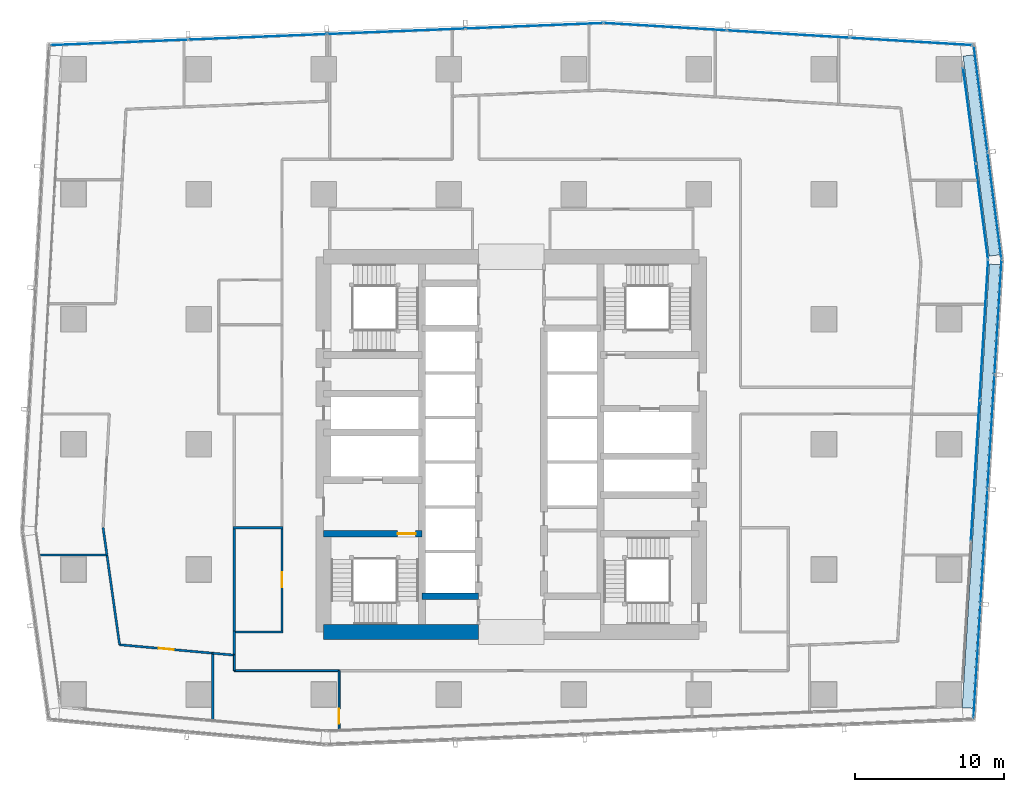
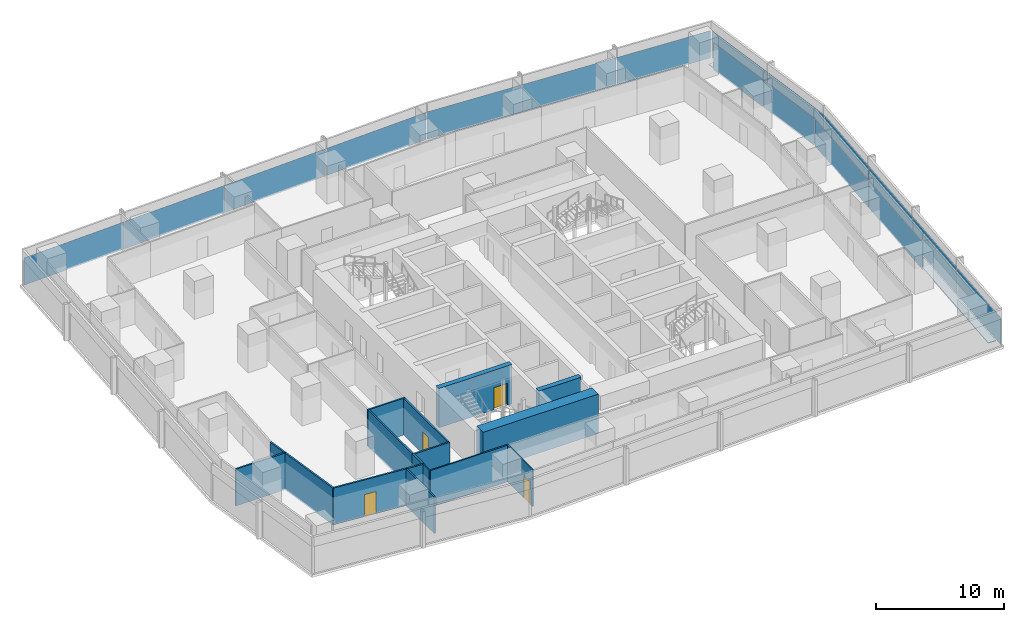
# One storey, part 28 of 40: 19 plates, 17 walls, 4 doors, 4 openings, 6 elements without a shape of their own.
"""IFC4 building model written with IfcOpenShell, lengths in metres."""

from ifc_helpers import new_model, si_unit, direction, frame, frame_2d, origin, origin_2d, place, context, subcontext, project, spatial, rectangle, extrude, material, layer, layer_set, type_object, element, fill, aggregate, save


model = new_model("IFC4")

# Units and contexts
model_context = context("Model", 3, precision=1e-05, world=origin(), true_north=direction((0.0, 1.0)))
body_context = subcontext(model_context, "Body", "Model", "MODEL_VIEW")
ifc_project = project(units=[si_unit("LENGTHUNIT", "METRE"), si_unit("AREAUNIT", "SQUARE_METRE"), si_unit("VOLUMEUNIT", "CUBIC_METRE"), si_unit("PLANEANGLEUNIT", "RADIAN"), si_unit("MASSUNIT", "GRAM", prefix="KILO")], contexts=[model_context])

# Site, building, storey
site_placement = place(None, origin())
site = spatial("IfcSite", under=ifc_project, at=site_placement, CompositionType="ELEMENT")
building_placement = place(site_placement, origin())
building = spatial("IfcBuilding", under=site, at=building_placement, Name="Rekha Terrace Tower", CompositionType="ELEMENT")
storey_placement = place(building_placement, frame((0.0, 0.0, 110.300048828125)))
storey = spatial("IfcBuildingStorey", under=building, at=storey_placement, Name="L27", CompositionType="ELEMENT", Elevation=110.300048828125)

# Curtain wall, plates
ifc_material_1 = material(Name="Aluminium framing", Category="aluminium")
curtain_wall_type_1 = type_object("IfcCurtainWallType", Name="CW1 double skin inner glazing", PredefinedType="USERDEFINED", material=ifc_material_1)
curtain_wall_1_placement = place(storey_placement, origin())
curtain_wall_1 = element("IfcCurtainWall", 1, at=curtain_wall_1_placement, inside=storey, type_object=curtain_wall_type_1, Name="CW1 double skin inner glazing", ObjectType="DOUBLE SKIN INNER GLAZING", PredefinedType="USERDEFINED")
ifc_material_2 = material(Name="Double-glazed low-e unit 32", Category="glass")
ifc_layer_1 = layer(ifc_material_2, 0.031982421875)
ifc_layer_set_1 = layer_set([ifc_layer_1], Name="Double-glazed low-e unit 32")
plate_type_1 = type_object("IfcPlateType", Name="CW1 jumbo vision panel, double-glazed low-e unit 32", PredefinedType="CURTAIN_PANEL", material=ifc_layer_set_1)
plate_1_placement = place(storey_placement, frame((68.968505859375, 31.8193359375, 0.0), z_axis=(0.0, 0.0, 1.0), x_axis=(0.061159803131, 0.998127987024, 0.0)))
plate_1 = element("IfcPlate", 2, at=plate_1_placement, type_object=plate_type_1, Name="CW1 panel 2.1", PredefinedType="CURTAIN_PANEL", context=body_context, shape_type="SweptSolid", body=[
    extrude(rectangle(XDim=9.3876953125, YDim=0.031982421875, at=origin_2d()), origin(), (0.0, 0.0, 1.0), 2.60009765625),
])
plate_2_placement = place(storey_placement, frame((69.547607421875, 41.2705078125, 0.0), z_axis=(0.0, 0.0, 1.0), x_axis=(0.061159803131, 0.998127987024, 0.0)))
plate_2 = element("IfcPlate", 3, at=plate_2_placement, type_object=plate_type_1, Name="CW1 panel 3.1", PredefinedType="CURTAIN_PANEL", context=body_context, shape_type="SweptSolid", body=[
    extrude(rectangle(XDim=9.420166015625, YDim=0.031982421875, at=origin_2d()), origin(), (0.0, 0.0, 1.0), 2.60009765625),
])
aggregate(curtain_wall_1, [plate_1, plate_2])

curtain_wall_2_placement = place(storey_placement, origin())
curtain_wall_2 = element("IfcCurtainWall", 4, at=curtain_wall_2_placement, inside=storey, type_object=curtain_wall_type_1, Name="CW1 double skin inner glazing", ObjectType="DOUBLE SKIN INNER GLAZING", PredefinedType="USERDEFINED")
plate_3_placement = place(storey_placement, frame((69.411376953125, 49.230712890625, 0.0), z_axis=(0.0, 0.0, 1.0), x_axis=(-0.129118383675, 0.991629186237, 0.0)))
plate_3 = element("IfcPlate", 5, at=plate_3_placement, type_object=plate_type_1, Name="CW1 panel 1.1", PredefinedType="CURTAIN_PANEL", context=body_context, shape_type="SweptSolid", body=[
    extrude(rectangle(XDim=6.443115234375, YDim=0.031982421875, at=origin_2d()), origin(), (0.0, 0.0, 1.0), 2.60009765625),
])
plate_4_placement = place(storey_placement, frame((68.571044921875, 55.68408203125, 0.0), z_axis=(0.0, 0.0, 1.0), x_axis=(-0.129118383675, 0.991629186237, 0.0)))
plate_4 = element("IfcPlate", 6, at=plate_4_placement, type_object=plate_type_1, Name="CW1 panel 2.1", PredefinedType="CURTAIN_PANEL", context=body_context, shape_type="SweptSolid", body=[
    extrude(rectangle(XDim=6.443115234375, YDim=0.031982421875, at=origin_2d()), origin(), (0.0, 0.0, 1.0), 2.60009765625),
])
aggregate(curtain_wall_2, [plate_3, plate_4])

curtain_wall_type_2 = type_object("IfcCurtainWallType", Name="CW2 double skin outer glazing", PredefinedType="USERDEFINED", material=ifc_material_1)
curtain_wall_3_placement = place(storey_placement, origin())
curtain_wall_3 = element("IfcCurtainWall", 7, at=curtain_wall_3_placement, inside=storey, type_object=curtain_wall_type_2, Name="CW2 double skin outer glazing", ObjectType="DOUBLE SKIN OUTER GLAZING", PredefinedType="USERDEFINED")
ifc_material_3 = material(Name="Toughened single glazing 12", Category="glass")
ifc_layer_2 = layer(ifc_material_3, 0.011962890625)
ifc_layer_set_2 = layer_set([ifc_layer_2], Name="Toughened single glazing 12")
plate_type_2 = type_object("IfcPlateType", Name="CW2 jumbo vision panel, toughened single glazing 12", PredefinedType="CURTAIN_PANEL", material=ifc_layer_set_2)
plate_5_placement = place(storey_placement, frame((69.086669921875, 19.0302734375, 0.0), z_axis=(0.0, 0.0, 1.0), x_axis=(0.061159803131, 0.998127987024, 0.0)))
plate_5 = element("IfcPlate", 8, at=plate_5_placement, type_object=plate_type_2, Name="CW2 panel 1.1", PredefinedType="CURTAIN_PANEL", context=body_context, shape_type="SweptSolid", body=[
    extrude(rectangle(XDim=7.6064453125, YDim=0.011962890625, at=origin_2d()), origin(), (0.0, 0.0, 1.0), 2.60009765625),
])
plate_6_placement = place(storey_placement, frame((69.557861328125, 26.722412109375, 0.0), z_axis=(0.0, 0.0, 1.0), x_axis=(0.061159803131, 0.998127987024, 0.0)))
plate_6 = element("IfcPlate", 9, at=plate_6_placement, type_object=plate_type_2, Name="CW2 panel 2.1", PredefinedType="CURTAIN_PANEL", context=body_context, shape_type="SweptSolid", body=[
    extrude(rectangle(XDim=7.646484375, YDim=0.011962890625, at=origin_2d()), origin(), (0.0, 0.0, 1.0), 2.60009765625),
])
plate_7_placement = place(storey_placement, frame((70.030517578125, 34.434326171875, 0.0), z_axis=(0.0, 0.0, 1.0), x_axis=(0.061159803131, 0.998127987024, 0.0)))
plate_7 = element("IfcPlate", 10, at=plate_7_placement, type_object=plate_type_2, Name="CW2 panel 3.1", PredefinedType="CURTAIN_PANEL", context=body_context, shape_type="SweptSolid", body=[
    extrude(rectangle(XDim=7.646484375, YDim=0.011962890625, at=origin_2d()), origin(), (0.0, 0.0, 1.0), 2.60009765625),
])
plate_8_placement = place(storey_placement, frame((70.50439453125, 42.16650390625, 0.0), z_axis=(0.0, 0.0, 1.0), x_axis=(0.061159803131, 0.998127987024, 0.0)))
plate_8 = element("IfcPlate", 11, at=plate_8_placement, type_object=plate_type_2, Name="CW2 panel 4.1", PredefinedType="CURTAIN_PANEL", context=body_context, shape_type="SweptSolid", body=[
    extrude(rectangle(XDim=7.6865234375, YDim=0.011962890625, at=origin_2d()), origin(), (0.0, 0.0, 1.0), 2.60009765625),
])
aggregate(curtain_wall_3, [plate_5, plate_6, plate_7, plate_8])

curtain_wall_4_placement = place(storey_placement, origin())
curtain_wall_4 = element("IfcCurtainWall", 12, at=curtain_wall_4_placement, inside=storey, type_object=curtain_wall_type_2, Name="CW2 double skin outer glazing", ObjectType="DOUBLE SKIN OUTER GLAZING", PredefinedType="USERDEFINED")
plate_9_placement = place(storey_placement, frame((70.2666015625, 49.6337890625, 0.0), z_axis=(0.0, 0.0, 1.0), x_axis=(-0.129118383623, 0.991629186244, 0.0)))
plate_9 = element("IfcPlate", 13, at=plate_9_placement, type_object=plate_type_2, Name="CW2 panel 1.1", PredefinedType="CURTAIN_PANEL", context=body_context, shape_type="SweptSolid", body=[
    extrude(rectangle(XDim=7.163818359375, YDim=0.011962890625, at=origin_2d()), origin(), (0.0, 0.0, 1.0), 2.60009765625),
])
plate_10_placement = place(storey_placement, frame((69.331298828125, 56.81689453125, 0.0), z_axis=(0.0, 0.0, 1.0), x_axis=(-0.129118383623, 0.991629186244, 0.0)))
plate_10 = element("IfcPlate", 14, at=plate_10_placement, type_object=plate_type_2, Name="CW2 panel 2.1", PredefinedType="CURTAIN_PANEL", context=body_context, shape_type="SweptSolid", body=[
    extrude(rectangle(XDim=7.163818359375, YDim=0.011962890625, at=origin_2d()), origin(), (0.0, 0.0, 1.0), 2.60009765625),
])
aggregate(curtain_wall_4, [plate_9, plate_10])

curtain_wall_type_3 = type_object("IfcCurtainWallType", Name="CW3 north unitised glazing", PredefinedType="USERDEFINED", material=ifc_material_1)
curtain_wall_5_placement = place(storey_placement, origin())
curtain_wall_5 = element("IfcCurtainWall", 15, at=curtain_wall_5_placement, inside=storey, type_object=curtain_wall_type_3, Name="CW3 unitised curtain wall", ObjectType="UNITISED CURTAIN WALL", PredefinedType="USERDEFINED")
ifc_material_4 = material(Name="Double-glazed unit 28", Category="glass")
ifc_layer_3 = layer(ifc_material_4, 0.028076171875)
ifc_layer_set_3 = layer_set([ifc_layer_3], Name="Double-glazed unit 28")
plate_type_3 = type_object("IfcPlateType", Name="CW3 jumbo vision panel, double-glazed unit 28", PredefinedType="CURTAIN_PANEL", material=ifc_layer_set_3)
plate_11_placement = place(storey_placement, frame((64.6748046875, 60.65966796875, 0.0), z_axis=(0.0, 0.0, 1.0), x_axis=(-0.998199102701, 0.059987926837, 0.0)))
plate_11 = element("IfcPlate", 16, at=plate_11_placement, type_object=plate_type_3, Name="CW3 panel 1.1", PredefinedType="CURTAIN_PANEL", context=body_context, shape_type="SweptSolid", body=[
    extrude(rectangle(XDim=8.171630859375, YDim=0.028076171875, at=origin_2d()), origin(), (0.0, 0.0, 1.0), 2.60009765625),
])
plate_12_placement = place(storey_placement, frame((56.430419921875, 61.155029296875, 0.0), z_axis=(0.0, 0.0, 1.0), x_axis=(-0.998199102701, 0.059987926837, 0.0)))
plate_12 = element("IfcPlate", 17, at=plate_12_placement, type_object=plate_type_3, Name="CW3 panel 2.1", PredefinedType="CURTAIN_PANEL", context=body_context, shape_type="SweptSolid", body=[
    extrude(rectangle(XDim=8.20654296875, YDim=0.028076171875, at=origin_2d()), origin(), (0.0, 0.0, 1.0), 2.60009765625),
])
plate_13_placement = place(storey_placement, frame((48.1513671875, 61.652587890625, 0.0), z_axis=(0.0, 0.0, 1.0), x_axis=(-0.998199102701, 0.059987926837, 0.0)))
plate_13 = element("IfcPlate", 18, at=plate_13_placement, type_object=plate_type_3, Name="CW3 panel 3.1", PredefinedType="CURTAIN_PANEL", context=body_context, shape_type="SweptSolid", body=[
    extrude(rectangle(XDim=8.24169921875, YDim=0.028076171875, at=origin_2d()), origin(), (0.0, 0.0, 1.0), 2.60009765625),
])
aggregate(curtain_wall_5, [plate_11, plate_12, plate_13])

curtain_wall_6_placement = place(storey_placement, origin())
curtain_wall_6 = element("IfcCurtainWall", 19, at=curtain_wall_6_placement, inside=storey, type_object=curtain_wall_type_3, Name="CW3 unitised curtain wall", ObjectType="UNITISED CURTAIN WALL", PredefinedType="USERDEFINED")
plate_14_placement = place(storey_placement, frame((39.364501953125, 61.71240234375, 0.0), z_axis=(0.0, 0.0, 1.0), x_axis=(-0.999198398721, -0.040031987119, 0.0)))
plate_14 = element("IfcPlate", 20, at=plate_14_placement, type_object=plate_type_3, Name="CW3 panel 1.1", PredefinedType="CURTAIN_PANEL", context=body_context, shape_type="SweptSolid", body=[
    extrude(rectangle(XDim=9.214599609375, YDim=0.028076171875, at=origin_2d()), origin(), (0.0, 0.0, 1.0), 2.60009765625),
])
plate_15_placement = place(storey_placement, frame((30.06982421875, 61.340087890625, 0.0), z_axis=(0.0, 0.0, 1.0), x_axis=(-0.999198398721, -0.040031987119, 0.0)))
plate_15 = element("IfcPlate", 21, at=plate_15_placement, type_object=plate_type_3, Name="CW3 panel 2.1", PredefinedType="CURTAIN_PANEL", context=body_context, shape_type="SweptSolid", body=[
    extrude(rectangle(XDim=9.24951171875, YDim=0.028076171875, at=origin_2d()), origin(), (0.0, 0.0, 1.0), 2.60009765625),
])
plate_16_placement = place(storey_placement, frame((20.7578125, 60.967041015625, 0.0), z_axis=(0.0, 0.0, 1.0), x_axis=(-0.999198398721, -0.040031987119, 0.0)))
plate_16 = element("IfcPlate", 22, at=plate_16_placement, type_object=plate_type_3, Name="CW3 panel 3.1", PredefinedType="CURTAIN_PANEL", context=body_context, shape_type="SweptSolid", body=[
    extrude(rectangle(XDim=9.24951171875, YDim=0.028076171875, at=origin_2d()), origin(), (0.0, 0.0, 1.0), 2.60009765625),
])
plate_17_placement = place(storey_placement, frame((11.46337890625, 60.5947265625, 0.0), z_axis=(0.0, 0.0, 1.0), x_axis=(-0.999198398721, -0.040031987119, 0.0)))
plate_17 = element("IfcPlate", 23, at=plate_17_placement, type_object=plate_type_3, Name="CW3 panel 4.1", PredefinedType="CURTAIN_PANEL", context=body_context, shape_type="SweptSolid", body=[
    extrude(rectangle(XDim=9.214599609375, YDim=0.028076171875, at=origin_2d()), origin(), (0.0, 0.0, 1.0), 2.60009765625),
])
aggregate(curtain_wall_6, [plate_14, plate_15, plate_16, plate_17])

# Plates
ifc_material_5 = material(Name="Galvanised steel open grating", Category="steel")
ifc_layer_4 = layer(ifc_material_5, 0.050048828125)
ifc_layer_set_4 = layer_set([ifc_layer_4], Name="Galvanised steel open grating")
plate_type_4 = type_object("IfcPlateType", Name="GT1 cavity walkway grating 50", PredefinedType="USERDEFINED", material=ifc_layer_set_4)
plate_18_placement = place(storey_placement, frame((69.356201171875, 30.78759765625, 0.0), z_axis=(0.0, 0.0, 1.0), x_axis=(0.061159803131, 0.998127987024, 0.0)))
element("IfcPlate", 24, at=plate_18_placement, inside=storey, type_object=plate_type_4, Name="Cavity walkway grating", ObjectType="CAVITY WALKWAY GRATING", PredefinedType="USERDEFINED", context=body_context, shape_type="SweptSolid", body=[
    extrude(rectangle(XDim=29.85595703125, YDim=0.705078125, at=origin_2d()), origin(), (0.0, 0.0, 1.0), 0.050048828125),
])
plate_19_placement = place(storey_placement, frame((69.373779296875, 53.004150390625, 0.0), z_axis=(0.0, 0.0, 1.0), x_axis=(-0.129118383623, 0.991629186244, 0.0)))
element("IfcPlate", 25, at=plate_19_placement, inside=storey, type_object=plate_type_4, Name="Cavity walkway grating", ObjectType="CAVITY WALKWAY GRATING", PredefinedType="USERDEFINED", context=body_context, shape_type="SweptSolid", body=[
    extrude(rectangle(XDim=13.552734375, YDim=0.705078125, at=origin_2d()), origin(), (0.0, 0.0, 1.0), 0.050048828125),
])

# Wall
ifc_material_6 = material(Name="Concrete M70", Category="concrete")
ifc_layer_5 = layer(ifc_material_6, 0.449951171875)
ifc_layer_set_5 = layer_set([ifc_layer_5], Name="Concrete M70")
wall_type_1 = type_object("IfcWallType", Name="CI2 450 core internal shear wall", PredefinedType="SHEAR", material=ifc_layer_set_5)
wall_1_placement = place(storey_placement, frame((31.800048828125, 23.39990234375, 0.0), z_axis=(0.0, 0.0, 1.0), x_axis=(1.0, 0.0, 0.0)))
element("IfcWall", 26, at=wall_1_placement, inside=storey, type_object=wall_type_1, Name="Core wall Y234W L27", PredefinedType="SHEAR", context=body_context, shape_type="SweptSolid", body=[
    extrude(rectangle(XDim=3.800048828125, YDim=0.449951171875, at=frame_2d((1.89990234375, 0.0))), origin(), (0.0, 0.0, 1.0), 3.75),
])

# Wall, opening, door
wall_2_placement = place(storey_placement, frame((25.199951171875, 27.60009765625, 0.0), z_axis=(0.0, 0.0, 1.0), x_axis=(1.0, 0.0, 0.0)))
wall_2 = element("IfcWall", 27, at=wall_2_placement, inside=storey, type_object=wall_type_1, Name="Core wall Y276W L27", PredefinedType="SHEAR", context=body_context, shape_type="SweptSolid", body=[
    extrude(rectangle(XDim=6.60009765625, YDim=0.449951171875, at=frame_2d((3.300048828125, 0.0))), origin(), (0.0, 0.0, 1.0), 3.75),
])
opening_1_placement = place(wall_2_placement, frame((4.97509765625, 0.0, 0.0)))
opening_1 = element("IfcOpeningElement", 28, at=opening_1_placement, cuts=wall_2, Name="Opening D1", PredefinedType="OPENING", context=body_context, shape_type="SweptSolid", body=[
    extrude(rectangle(XDim=1.199951171875, YDim=2.10009765625, at=frame_2d((0.60009765625, 1.050048828125))), frame((0.0, 0.23486328125, 0.0), z_axis=(0.0, -1.0, 0.0), x_axis=(1.0, 0.0, 0.0)), (0.0, 0.0, 1.0), 0.469970703125),
])
ifc_material_7 = material(Name="Steel fire door", Category="steel")
door_type_1 = type_object("IfcDoorType", Name="D1 1200x2100 stair fire door", OperationType="SINGLE_SWING_RIGHT", PredefinedType="DOOR", material=ifc_material_7)
door_1_placement = place(opening_1_placement, origin())
door_1 = element("IfcDoor", 29, at=door_1_placement, inside=storey, type_object=door_type_1, Name="Stair ST1 door L27", OperationType="SINGLE_SWING_RIGHT", OverallHeight=2.10009765625, OverallWidth=1.199951171875, PredefinedType="DOOR", context=body_context, shape_type="SweptSolid", body=[
    extrude(rectangle(XDim=1.199951171875, YDim=2.10009765625, at=frame_2d((0.60009765625, 1.050048828125))), frame((0.0, 0.02490234375, 0.0), z_axis=(0.0, -1.0, 0.0), x_axis=(1.0, 0.0, 0.0)), (0.0, 0.0, 1.0), 0.050048828125),
])
fill(opening_1, door_1)

# Walls
ifc_layer_6 = layer(ifc_material_6, 1.0)
ifc_layer_set_6 = layer_set([ifc_layer_6], Name="Concrete M70")
wall_type_2 = type_object("IfcWallType", Name="SW2 1000 core outer shear wall", PredefinedType="SHEAR", material=ifc_layer_set_6)
wall_3_placement = place(storey_placement, frame((25.199951171875, 21.0, 0.0), z_axis=(0.0, 0.0, 1.0), x_axis=(1.0, 0.0, 0.0)))
element("IfcWall", 30, at=wall_3_placement, inside=storey, type_object=wall_type_2, Name="Core wall S1 L27", PredefinedType="SHEAR", context=body_context, shape_type="SweptSolid", body=[
    extrude(rectangle(XDim=10.400146484375, YDim=1.0, at=frame_2d((5.2001953125, 0.0))), origin(), (0.0, 0.0, 1.0), 3.75),
])
ifc_material_8 = material(Name="Concrete block masonry, 1 hour", Category="masonry")
ifc_layer_7 = layer(ifc_material_8, 0.14990234375)
ifc_layer_set_7 = layer_set([ifc_layer_7], Name="Concrete block masonry, 1 hour")
wall_type_3 = type_object("IfcWallType", Name="WP2 150 tenancy partition", PredefinedType="PARTITIONING", material=ifc_layer_set_7)
for number, where, z_axis, x_axis, name in (
    (31, (19.125, 21.0, 0.0), (0.0, 0.0, 1.0), (1.0, 0.0, 0.0), "Men's WC wall L27"),
    (32, (19.125, 28.0, 0.0), (0.0, 0.0, 1.0), (1.0, 0.0, 0.0), "Men's WC wall L27"),
):
    element("IfcWall", number, at=place(storey_placement, frame(where, z_axis=z_axis, x_axis=x_axis)), inside=storey, type_object=wall_type_3, Name=name, PredefinedType="PARTITIONING", context=body_context, shape_type="SweptSolid", body=[
        extrude(rectangle(XDim=3.35009765625, YDim=0.14990234375, at=frame_2d((1.675048828125, 0.0))), origin(), (0.0, 0.0, 1.0), 3.5),
    ])
wall_4_placement = place(storey_placement, frame((19.199951171875, 21.074951171875, 0.0), z_axis=(0.0, 0.0, 1.0), x_axis=(0.0, 1.0, 0.0)))
element("IfcWall", 33, at=wall_4_placement, inside=storey, type_object=wall_type_3, Name="Men's WC wall L27", PredefinedType="PARTITIONING", context=body_context, shape_type="SweptSolid", body=[
    extrude(rectangle(XDim=6.85009765625, YDim=0.14990234375, at=frame_2d((3.425048828125, 0.0))), origin(), (0.0, 0.0, 1.0), 3.5),
])

# Wall, opening, door
wall_5_placement = place(storey_placement, frame((22.39990234375, 21.074951171875, 0.0), z_axis=(0.0, 0.0, 1.0), x_axis=(0.0, 1.0, 0.0)))
wall_5 = element("IfcWall", 34, at=wall_5_placement, inside=storey, type_object=wall_type_3, Name="Men's WC wall L27", PredefinedType="PARTITIONING", context=body_context, shape_type="SweptSolid", body=[
    extrude(rectangle(XDim=6.85009765625, YDim=0.14990234375, at=frame_2d((3.425048828125, 0.0))), origin(), (0.0, 0.0, 1.0), 3.5),
])
opening_2_placement = place(wall_5_placement, frame((2.925048828125, 0.0, 0.0)))
opening_2 = element("IfcOpeningElement", 35, at=opening_2_placement, cuts=wall_5, Name="Opening D3", PredefinedType="OPENING", context=body_context, shape_type="SweptSolid", body=[
    extrude(rectangle(XDim=1.0, YDim=2.10009765625, at=frame_2d((0.5, 1.050048828125))), frame((0.0, 0.0849609375, 0.0), z_axis=(0.0, -1.0, 0.0), x_axis=(1.0, 0.0, 0.0)), (0.0, 0.0, 1.0), 0.169921875),
])
ifc_material_9 = material(Name="Laminated timber fire door", Category="wood")
door_type_2 = type_object("IfcDoorType", Name="D3 1000x2100 WC door", OperationType="SINGLE_SWING_LEFT", PredefinedType="DOOR", material=ifc_material_9)
door_2_placement = place(opening_2_placement, origin())
door_2 = element("IfcDoor", 36, at=door_2_placement, inside=storey, type_object=door_type_2, Name="Door men's wc L27", OperationType="SINGLE_SWING_LEFT", OverallHeight=2.10009765625, OverallWidth=1.0, PredefinedType="DOOR", context=body_context, shape_type="SweptSolid", body=[
    extrude(rectangle(XDim=1.0, YDim=2.10009765625, at=frame_2d((0.5, 1.050048828125))), frame((0.0, 0.02490234375, 0.0), z_axis=(0.0, -1.0, 0.0), x_axis=(1.0, 0.0, 0.0)), (0.0, 0.0, 1.0), 0.050048828125),
])
fill(opening_2, door_2)

# Walls
wall_6_placement = place(storey_placement, frame((19.199951171875, 21.074951171875, 0.0), z_axis=(0.0, 0.0, 1.0), x_axis=(0.0, -1.0, 0.0)))
element("IfcWall", 37, at=wall_6_placement, inside=storey, type_object=wall_type_3, Name="Partition L27-O2", PredefinedType="PARTITIONING", context=body_context, shape_type="SweptSolid", body=[
    extrude(rectangle(XDim=1.635986328125, YDim=0.14990234375, at=frame_2d((0.81787109375, 0.0))), origin(), (0.0, 0.0, 1.0), 3.5),
])
wall_7_placement = place(storey_placement, frame((19.199951171875, 19.43896484375, 0.0), z_axis=(0.0, 0.0, 1.0), x_axis=(-0.995920706464, 0.090232734836, 0.0)))
element("IfcWall", 38, at=wall_7_placement, inside=storey, type_object=wall_type_3, Name="Partition L27-O2", PredefinedType="PARTITIONING", context=body_context, shape_type="SweptSolid", body=[
    extrude(rectangle(XDim=1.452880859375, YDim=0.14990234375, at=frame_2d((0.7265625, 0.0))), origin(), (0.0, 0.0, 1.0), 3.5),
])
wall_8_placement = place(storey_placement, frame((17.7529296875, 19.570068359375, 0.0), z_axis=(0.0, 0.0, 1.0), x_axis=(0.0, -1.0, 0.0)))
element("IfcWall", 39, at=wall_8_placement, inside=storey, type_object=wall_type_3, Name="Partition L27-O2", PredefinedType="PARTITIONING", context=body_context, shape_type="SweptSolid", body=[
    extrude(rectangle(XDim=4.468017578125, YDim=0.14990234375, at=frame_2d((2.23388671875, 0.0))), origin(), (0.0, 0.0, 1.0), 3.5),
])

# Wall, opening, door
wall_9_placement = place(storey_placement, frame((17.751953125, 19.570068359375, 0.0), z_axis=(0.0, 0.0, 1.0), x_axis=(-0.995899251229, 0.090469229029, 0.0)))
wall_9 = element("IfcWall", 40, at=wall_9_placement, inside=storey, type_object=wall_type_3, Name="Partition L27-O2", PredefinedType="PARTITIONING", context=body_context, shape_type="SweptSolid", body=[
    extrude(rectangle(XDim=6.287841796875, YDim=0.14990234375, at=frame_2d((3.14404296875, 0.0))), origin(), (0.0, 0.0, 1.0), 3.5),
])
opening_3_placement = place(wall_9_placement, frame((2.64404296875, 0.0, 0.0)))
opening_3 = element("IfcOpeningElement", 41, at=opening_3_placement, cuts=wall_9, Name="Opening D9", PredefinedType="OPENING", context=body_context, shape_type="SweptSolid", body=[
    extrude(rectangle(XDim=1.0, YDim=2.10009765625, at=frame_2d((0.5, 1.050048828125))), frame((0.0, 0.0849609375, 0.0), z_axis=(0.0, -1.0, 0.0), x_axis=(1.0, 0.0, 0.0)), (0.0, 0.0, 1.0), 0.169921875),
])
ifc_material_10 = material(Name="Timber fire door", Category="wood")
door_type_3 = type_object("IfcDoorType", Name="D9 1000x2100 office door", OperationType="SINGLE_SWING_LEFT", PredefinedType="DOOR", material=ifc_material_10)
door_3_placement = place(opening_3_placement, origin())
door_3 = element("IfcDoor", 42, at=door_3_placement, inside=storey, type_object=door_type_3, Name="Door manager's office L27", OperationType="SINGLE_SWING_LEFT", OverallHeight=2.10009765625, OverallWidth=1.0, PredefinedType="DOOR", context=body_context, shape_type="SweptSolid", body=[
    extrude(rectangle(XDim=1.0, YDim=2.10009765625, at=frame_2d((0.5, 1.050048828125))), frame((0.0, 0.02490234375, 0.0), z_axis=(0.0, -1.0, 0.0), x_axis=(1.0, 0.0, 0.0)), (0.0, 0.0, 1.0), 0.050048828125),
])
fill(opening_3, door_3)

# Walls
wall_10_placement = place(storey_placement, frame((11.489990234375, 20.138916015625, 0.0), z_axis=(0.0, 0.0, 1.0), x_axis=(-0.139593505482, 0.990208893733, 0.0)))
element("IfcWall", 43, at=wall_10_placement, inside=storey, type_object=wall_type_3, Name="Partition L27-O2", PredefinedType="PARTITIONING", context=body_context, shape_type="SweptSolid", body=[
    extrude(rectangle(XDim=6.096923828125, YDim=0.14990234375, at=frame_2d((3.04833984375, 0.0))), origin(), (0.0, 0.0, 1.0), 3.5),
])
wall_11_placement = place(storey_placement, frame((10.638916015625, 26.176025390625, 0.0), z_axis=(0.0, 0.0, 1.0), x_axis=(-1.0, 0.0, 0.0)))
element("IfcWall", 44, at=wall_11_placement, inside=storey, type_object=wall_type_3, Name="Partition L27-O2", PredefinedType="PARTITIONING", context=body_context, shape_type="SweptSolid", body=[
    extrude(rectangle(XDim=4.493896484375, YDim=0.14990234375, at=frame_2d((2.2470703125, 0.0))), origin(), (0.0, 0.0, 1.0), 3.5),
])
wall_12_placement = place(storey_placement, frame((10.638916015625, 26.177001953125, 0.0), z_axis=(0.0, 0.0, 1.0), x_axis=(-0.139570739539, 0.990212102867, 0.0)))
element("IfcWall", 45, at=wall_12_placement, inside=storey, type_object=wall_type_3, Name="Partition L27-O2", PredefinedType="PARTITIONING", context=body_context, shape_type="SweptSolid", body=[
    extrude(rectangle(XDim=1.84716796875, YDim=0.14990234375, at=frame_2d((0.923583984375, 0.0))), origin(), (0.0, 0.0, 1.0), 3.5),
])
ifc_material_11 = material(Name="Two layers of fire-rated gypsum board each side on steel studs, acoustic quilt, 1 hour", Category="steel")
ifc_layer_8 = layer(ifc_material_11, 0.125)
ifc_layer_set_8 = layer_set([ifc_layer_8], Name="Two layers of fire-rated gypsum board each side on steel studs, acoustic quilt, 1 hour")
wall_type_4 = type_object("IfcWallType", Name="WP3 125 office partition", PredefinedType="PARTITIONING", material=ifc_layer_set_8)
wall_13_placement = place(storey_placement, frame((19.199951171875, 18.39990234375, 0.0), z_axis=(0.0, 0.0, 1.0), x_axis=(1.0, 0.0, 0.0)))
element("IfcWall", 46, at=wall_13_placement, inside=storey, type_object=wall_type_4, Name="Partition L27-20", PredefinedType="PARTITIONING", context=body_context, shape_type="SweptSolid", body=[
    extrude(rectangle(XDim=7.033935546875, YDim=0.125, at=frame_2d((3.51708984375, 0.0))), origin(), (0.0, 0.0, 1.0), 3.5),
])

# Wall, opening, door
wall_14_placement = place(storey_placement, frame((26.23388671875, 18.39990234375, 0.0), z_axis=(0.0, 0.0, 1.0), x_axis=(0.0, -1.0, 0.0)))
wall_14 = element("IfcWall", 47, at=wall_14_placement, inside=storey, type_object=wall_type_4, Name="Partition L27-20", PredefinedType="PARTITIONING", context=body_context, shape_type="SweptSolid", body=[
    extrude(rectangle(XDim=3.953857421875, YDim=0.125, at=frame_2d((1.97705078125, 0.0))), origin(), (0.0, 0.0, 1.0), 3.5),
])
opening_4_placement = place(wall_14_placement, frame((2.56201171875, 0.0, 0.0)))
opening_4 = element("IfcOpeningElement", 48, at=opening_4_placement, cuts=wall_14, Name="Opening D9", PredefinedType="OPENING", context=body_context, shape_type="SweptSolid", body=[
    extrude(rectangle(XDim=1.0, YDim=2.10009765625, at=frame_2d((0.5, 1.050048828125))), frame((0.0, 0.072509765625, 0.0), z_axis=(0.0, -1.0, 0.0), x_axis=(1.0, 0.0, 0.0)), (0.0, 0.0, 1.0), 0.14501953125),
])
door_4_placement = place(opening_4_placement, origin())
door_4 = element("IfcDoor", 49, at=door_4_placement, inside=storey, type_object=door_type_3, Name="Door breakout lounge L27", OperationType="SINGLE_SWING_LEFT", OverallHeight=2.10009765625, OverallWidth=1.0, PredefinedType="DOOR", context=body_context, shape_type="SweptSolid", body=[
    extrude(rectangle(XDim=1.0, YDim=2.10009765625, at=frame_2d((0.5, 1.050048828125))), frame((0.0, 0.02490234375, 0.0), z_axis=(0.0, -1.0, 0.0), x_axis=(1.0, 0.0, 0.0)), (0.0, 0.0, 1.0), 0.050048828125),
])
fill(opening_4, door_4)

# Wall
wall_15_placement = place(storey_placement, frame((19.199951171875, 19.43896484375, 0.0), z_axis=(0.0, 0.0, 1.0), x_axis=(0.0, -1.0, 0.0)))
element("IfcWall", 50, at=wall_15_placement, inside=storey, type_object=wall_type_4, Name="Partition L27-20", PredefinedType="PARTITIONING", context=body_context, shape_type="SweptSolid", body=[
    extrude(rectangle(XDim=1.0390625, YDim=0.125, at=frame_2d((0.51953125, 0.0))), origin(), (0.0, 0.0, 1.0), 3.5),
])

save(model, "model.ifc")
